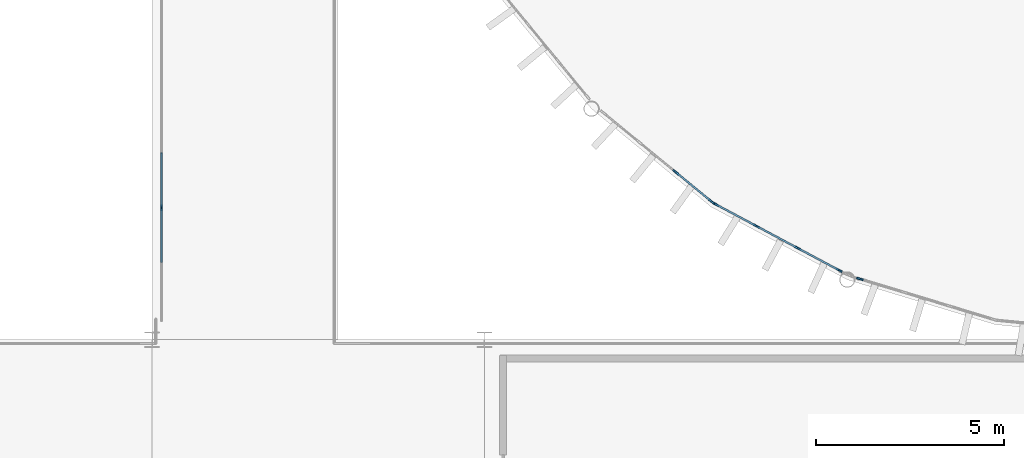
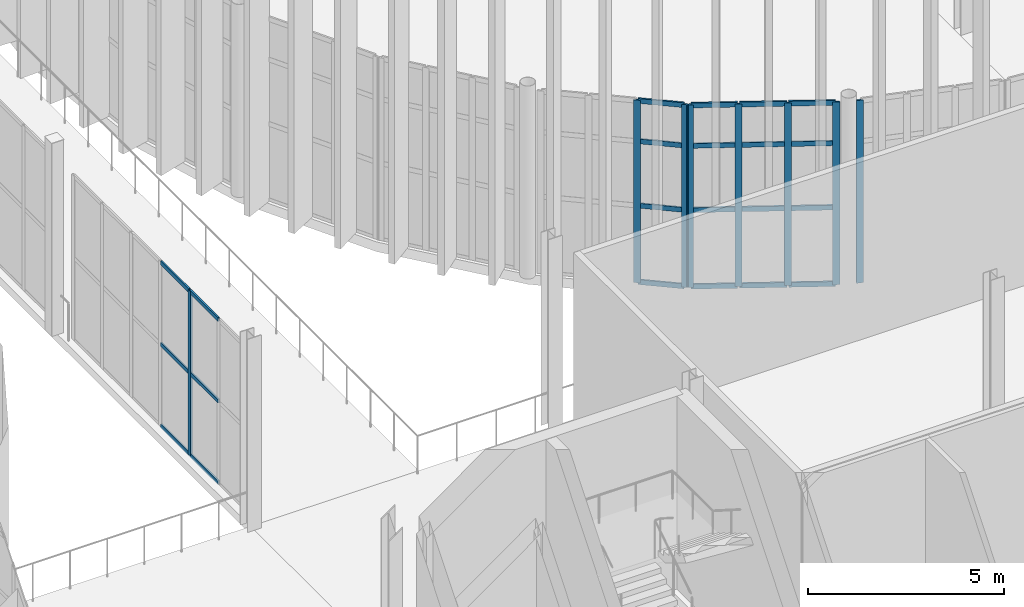
# One storey, part 28 of 139: 30 members, 4 elements without a shape of their own.
"""IFC4 building model written with IfcOpenShell, lengths in metres."""

from ifc_helpers import new_model, si_unit, direction, frame, origin, origin_2d, place, context, subcontext, project, spatial, rectangle, extrude, material, layer, layer_set, material_profile, profile_set, type_object, element, aggregate, save


model = new_model("IFC4")

# Units and contexts
model_context = context("Model", 3, precision=1e-05, world=origin(), true_north=direction((0.0, 1.0)))
body_context = subcontext(model_context, "Body", "Model", "MODEL_VIEW")
ifc_project = project(units=[si_unit("LENGTHUNIT", "METRE"), si_unit("AREAUNIT", "SQUARE_METRE"), si_unit("VOLUMEUNIT", "CUBIC_METRE"), si_unit("PLANEANGLEUNIT", "RADIAN"), si_unit("MASSUNIT", "GRAM", prefix="KILO")], contexts=[model_context])

# Site, building, storey
site_placement = place(None, origin())
site = spatial("IfcSite", under=ifc_project, at=site_placement, CompositionType="ELEMENT")
building_placement = place(site_placement, origin())
building = spatial("IfcBuilding", under=site, at=building_placement, Name="Yeouljin Market Hall", CompositionType="ELEMENT")
storey_placement = place(building_placement, origin())
storey = spatial("IfcBuildingStorey", under=building, at=storey_placement, Name="L00", CompositionType="ELEMENT", Elevation=0.0)

# Curtain wall, member
ifc_material_1 = material(Name="Thermally Broken Aluminium", Category="aluminium")
ifc_layer_1 = layer(ifc_material_1, 0.14990234375)
ifc_layer_set_1 = layer_set([ifc_layer_1], Name="Thermally Broken Aluminium")
curtain_wall_type_1 = type_object("IfcCurtainWallType", Name="CW_WingStorefront_System", PredefinedType="USERDEFINED", material=ifc_layer_set_1)
curtain_wall_1_placement = place(storey_placement, origin())
curtain_wall_1 = element("IfcCurtainWall", 1, at=curtain_wall_1_placement, inside=storey, type_object=curtain_wall_type_1, Name="Curtain wall CW-CRT-L00-05", ObjectType="CURTAIN WALL", PredefinedType="USERDEFINED")
ifc_material_2 = material(Name="Thermally Broken Aluminium", Category="aluminium")
ifc_material_profile_1 = material_profile(ifc_material_2, rectangle(XDim=0.048095703125, YDim=0.14990234375, at=origin_2d()), Name="CW-MULL-48x150")
ifc_profile_set_1 = profile_set([ifc_material_profile_1], Name="Thermally Broken Aluminium")
member_type_1 = type_object("IfcMemberType", Name="CWMullion_48x150", PredefinedType="MULLION", material=ifc_profile_set_1)
member_1_placement = place(storey_placement, frame((9.10009765625, 39.5166015625, 0.0), z_axis=(0.0, 0.0, 1.0), x_axis=(-1.0, 0.0, 0.0)))
member_1 = element("IfcMember", 2, at=member_1_placement, type_object=member_type_1, Name="CW-04 mullion 3", PredefinedType="MULLION", context=body_context, shape_type="SweptSolid", body=[
    extrude(rectangle(XDim=0.048095703125, YDim=0.14990234375, at=origin_2d()), origin(), (0.0, 0.0, 1.0), 5.1201171875),
])

ifc_material_3 = material(Name="Thermally Broken Aluminium", Category="aluminium")
ifc_layer_2 = layer(ifc_material_3, 0.179931640625)
ifc_layer_set_2 = layer_set([ifc_layer_2], Name="Thermally Broken Aluminium")
curtain_wall_type_2 = type_object("IfcCurtainWallType", Name="CW_ApseCurved_System", PredefinedType="USERDEFINED", material=ifc_layer_set_2)
curtain_wall_2_placement = place(storey_placement, origin())
curtain_wall_2 = element("IfcCurtainWall", 3, at=curtain_wall_2_placement, inside=storey, type_object=curtain_wall_type_2, Name="Curtain wall CW-AP-WL00-02", ObjectType="CURTAIN WALL", PredefinedType="USERDEFINED")
ifc_material_4 = material(Name="Thermally Broken Aluminium", Category="aluminium")
ifc_material_profile_2 = material_profile(ifc_material_4, rectangle(XDim=0.048095703125, YDim=0.179931640625, at=origin_2d()), Name="CW-MULL-48x180")
ifc_profile_set_2 = profile_set([ifc_material_profile_2], Name="Thermally Broken Aluminium")
member_type_2 = type_object("IfcMemberType", Name="CWMullion_48x180", PredefinedType="MULLION", material=ifc_profile_set_2)
member_2_placement = place(storey_placement, frame((27.700439453125, 37.62109375, 0.0), z_axis=(0.0, 0.0, 1.0), x_axis=(-0.290286164863, -0.95693988447, 0.0)))
member_2 = element("IfcMember", 4, at=member_2_placement, type_object=member_type_2, Name="CW-03 mullion 4", PredefinedType="MULLION", context=body_context, shape_type="SweptSolid", body=[
    extrude(rectangle(XDim=0.048095703125, YDim=0.179931640625, at=origin_2d()), origin(), (0.0, 0.0, 1.0), 5.679931640625),
])
aggregate(curtain_wall_2, [member_2])

# Curtain wall, members
curtain_wall_3_placement = place(storey_placement, origin())
curtain_wall_3 = element("IfcCurtainWall", 5, at=curtain_wall_3_placement, inside=storey, type_object=curtain_wall_type_2, Name="Curtain wall CW-AP-WL00-03", ObjectType="CURTAIN WALL", PredefinedType="USERDEFINED")
member_3_placement = place(storey_placement, frame((27.1416015625, 37.852783203125, 0.0), z_axis=(0.0, 0.0, 1.0), x_axis=(-0.471377626598, -0.881931478712, 0.0)))
member_3 = element("IfcMember", 6, at=member_3_placement, type_object=member_type_2, Name="CW-03 mullion 1", PredefinedType="MULLION", context=body_context, shape_type="SweptSolid", body=[
    extrude(rectangle(XDim=0.048095703125, YDim=0.179931640625, at=origin_2d()), origin(), (0.0, 0.0, 1.0), 5.679931640625),
])
member_4_placement = place(storey_placement, frame((26.053466796875, 38.434326171875, 0.0), z_axis=(0.0, 0.0, 1.0), x_axis=(-0.471377626598, -0.881931478712, 0.0)))
member_4 = element("IfcMember", 7, at=member_4_placement, type_object=member_type_2, Name="CW-03 mullion 2", PredefinedType="MULLION", context=body_context, shape_type="SweptSolid", body=[
    extrude(rectangle(XDim=0.048095703125, YDim=0.179931640625, at=origin_2d()), origin(), (0.0, 0.0, 1.0), 5.679931640625),
])
member_5_placement = place(storey_placement, frame((24.9443359375, 39.027099609375, 0.0), z_axis=(0.0, 0.0, 1.0), x_axis=(-0.471377626598, -0.881931478712, 0.0)))
member_5 = element("IfcMember", 8, at=member_5_placement, type_object=member_type_2, Name="CW-03 mullion 3", PredefinedType="MULLION", context=body_context, shape_type="SweptSolid", body=[
    extrude(rectangle(XDim=0.048095703125, YDim=0.179931640625, at=origin_2d()), origin(), (0.0, 0.0, 1.0), 5.679931640625),
])
member_6_placement = place(storey_placement, frame((23.856201171875, 39.608642578125, 0.0), z_axis=(0.0, 0.0, 1.0), x_axis=(-0.471377626598, -0.881931478712, 0.0)))
member_6 = element("IfcMember", 9, at=member_6_placement, type_object=member_type_2, Name="CW-03 mullion 4", PredefinedType="MULLION", context=body_context, shape_type="SweptSolid", body=[
    extrude(rectangle(XDim=0.048095703125, YDim=0.179931640625, at=origin_2d()), origin(), (0.0, 0.0, 1.0), 5.679931640625),
])

curtain_wall_4_placement = place(storey_placement, origin())
curtain_wall_4 = element("IfcCurtainWall", 10, at=curtain_wall_4_placement, inside=storey, type_object=curtain_wall_type_2, Name="Curtain wall CW-AP-WL00-04", ObjectType="CURTAIN WALL", PredefinedType="USERDEFINED")
member_7_placement = place(storey_placement, frame((23.750244140625, 39.679443359375, 0.0), z_axis=(0.0, 0.0, 1.0), x_axis=(-0.634384432096, -0.773017717982, 0.0)))
member_7 = element("IfcMember", 11, at=member_7_placement, type_object=member_type_2, Name="CW-03 mullion 1", PredefinedType="MULLION", context=body_context, shape_type="SweptSolid", body=[
    extrude(rectangle(XDim=0.048095703125, YDim=0.179931640625, at=origin_2d()), origin(), (0.0, 0.0, 1.0), 5.679931640625),
])
member_8_placement = place(storey_placement, frame((22.796630859375, 40.462158203125, 0.0), z_axis=(0.0, 0.0, 1.0), x_axis=(-0.634384432096, -0.773017717982, 0.0)))
member_8 = element("IfcMember", 12, at=member_8_placement, type_object=member_type_2, Name="CW-03 mullion 2", PredefinedType="MULLION", context=body_context, shape_type="SweptSolid", body=[
    extrude(rectangle(XDim=0.048095703125, YDim=0.179931640625, at=origin_2d()), origin(), (0.0, 0.0, 1.0), 5.679931640625),
])

# Member
ifc_material_5 = material(Name="Thermally Broken Aluminium", Category="aluminium")
ifc_material_profile_3 = material_profile(ifc_material_5, rectangle(XDim=0.048095703125, YDim=0.1201171875, at=origin_2d()), Name="CW-TRAN-48x120")
ifc_profile_set_3 = profile_set([ifc_material_profile_3], Name="Thermally Broken Aluminium")
member_type_3 = type_object("IfcMemberType", Name="CWTransom_48x120", PredefinedType="USERDEFINED", material=ifc_profile_set_3)
member_9_placement = place(storey_placement, frame((9.10009765625, 38.057373046875, 0.02392578125), z_axis=(0.0, 1.0, 0.0), x_axis=(-1.0, 0.0, 0.0)))
member_9 = element("IfcMember", 13, at=member_9_placement, type_object=member_type_3, Name="CW-04 transom 2.1", ObjectType="TRANSOM", PredefinedType="USERDEFINED", context=body_context, shape_type="SweptSolid", body=[
    extrude(rectangle(XDim=0.048095703125, YDim=0.1201171875, at=origin_2d()), origin(), (0.0, 0.0, 1.0), 1.435302734375),
])

member_10_placement = place(storey_placement, frame((9.10009765625, 38.057373046875, 2.56005859375), z_axis=(0.0, 1.0, 0.0), x_axis=(-1.0, 0.0, 0.0)))
member_10 = element("IfcMember", 14, at=member_10_placement, type_object=member_type_3, Name="CW-04 transom 2.2", ObjectType="TRANSOM", PredefinedType="USERDEFINED", context=body_context, shape_type="SweptSolid", body=[
    extrude(rectangle(XDim=0.048095703125, YDim=0.1201171875, at=origin_2d()), origin(), (0.0, 0.0, 1.0), 1.435302734375),
])

member_11_placement = place(storey_placement, frame((9.10009765625, 38.057373046875, 5.095947265625), z_axis=(0.0, 1.0, 0.0), x_axis=(-1.0, 0.0, 0.0)))
member_11 = element("IfcMember", 15, at=member_11_placement, type_object=member_type_3, Name="CW-04 transom 2.3", ObjectType="TRANSOM", PredefinedType="USERDEFINED", context=body_context, shape_type="SweptSolid", body=[
    extrude(rectangle(XDim=0.048095703125, YDim=0.1201171875, at=origin_2d()), origin(), (0.0, 0.0, 1.0), 1.435302734375),
])

member_12_placement = place(storey_placement, frame((9.10009765625, 39.540771484375, 0.02392578125), z_axis=(0.0, 1.0, 0.0), x_axis=(-1.0, 0.0, 0.0)))
member_12 = element("IfcMember", 16, at=member_12_placement, type_object=member_type_3, Name="CW-04 transom 3.1", ObjectType="TRANSOM", PredefinedType="USERDEFINED", context=body_context, shape_type="SweptSolid", body=[
    extrude(rectangle(XDim=0.048095703125, YDim=0.1201171875, at=origin_2d()), origin(), (0.0, 0.0, 1.0), 1.435302734375),
])

member_13_placement = place(storey_placement, frame((9.10009765625, 39.540771484375, 2.56005859375), z_axis=(0.0, 1.0, 0.0), x_axis=(-1.0, 0.0, 0.0)))
member_13 = element("IfcMember", 17, at=member_13_placement, type_object=member_type_3, Name="CW-04 transom 3.2", ObjectType="TRANSOM", PredefinedType="USERDEFINED", context=body_context, shape_type="SweptSolid", body=[
    extrude(rectangle(XDim=0.048095703125, YDim=0.1201171875, at=origin_2d()), origin(), (0.0, 0.0, 1.0), 1.435302734375),
])

member_14_placement = place(storey_placement, frame((9.10009765625, 39.540771484375, 5.095947265625), z_axis=(0.0, 1.0, 0.0), x_axis=(-1.0, 0.0, 0.0)))
member_14 = element("IfcMember", 18, at=member_14_placement, type_object=member_type_3, Name="CW-04 transom 3.3", ObjectType="TRANSOM", PredefinedType="USERDEFINED", context=body_context, shape_type="SweptSolid", body=[
    extrude(rectangle(XDim=0.048095703125, YDim=0.1201171875, at=origin_2d()), origin(), (0.0, 0.0, 1.0), 1.435302734375),
])

aggregate(curtain_wall_1, [member_1, member_9, member_10, member_11, member_12, member_13, member_14])

ifc_material_6 = material(Name="Thermally Broken Aluminium", Category="aluminium")
ifc_material_profile_4 = material_profile(ifc_material_6, rectangle(XDim=0.048095703125, YDim=0.14990234375, at=origin_2d()), Name="CW-TRAN-48x150")
ifc_profile_set_4 = profile_set([ifc_material_profile_4], Name="Thermally Broken Aluminium")
member_type_4 = type_object("IfcMemberType", Name="CWTransom_48x150", PredefinedType="USERDEFINED", material=ifc_profile_set_4)
member_15_placement = place(storey_placement, frame((27.120361328125, 37.864013671875, 0.02392578125), z_axis=(-0.881947903555, 0.471346894989, 0.0), x_axis=(-0.471346894989, -0.881947903555, 0.0)))
member_15 = element("IfcMember", 19, at=member_15_placement, type_object=member_type_4, Name="CW-03 transom 1.1", ObjectType="TRANSOM", PredefinedType="USERDEFINED", context=body_context, shape_type="SweptSolid", body=[
    extrude(rectangle(XDim=0.048095703125, YDim=0.14990234375, at=origin_2d()), origin(), (0.0, 0.0, 1.0), 1.185546875),
])

member_16_placement = place(storey_placement, frame((27.120361328125, 37.864013671875, 2.39990234375), z_axis=(-0.881947903555, 0.471346894989, 0.0), x_axis=(-0.471346894989, -0.881947903555, 0.0)))
member_16 = element("IfcMember", 20, at=member_16_placement, type_object=member_type_4, Name="CW-03 transom 1.2", ObjectType="TRANSOM", PredefinedType="USERDEFINED", context=body_context, shape_type="SweptSolid", body=[
    extrude(rectangle(XDim=0.048095703125, YDim=0.14990234375, at=origin_2d()), origin(), (0.0, 0.0, 1.0), 1.185546875),
])

member_17_placement = place(storey_placement, frame((27.120361328125, 37.864013671875, 4.39990234375), z_axis=(-0.881947903555, 0.471346894989, 0.0), x_axis=(-0.471346894989, -0.881947903555, 0.0)))
member_17 = element("IfcMember", 21, at=member_17_placement, type_object=member_type_4, Name="CW-03 transom 1.3", ObjectType="TRANSOM", PredefinedType="USERDEFINED", context=body_context, shape_type="SweptSolid", body=[
    extrude(rectangle(XDim=0.048095703125, YDim=0.14990234375, at=origin_2d()), origin(), (0.0, 0.0, 1.0), 1.185546875),
])

member_18_placement = place(storey_placement, frame((27.120361328125, 37.864013671875, 5.656005859375), z_axis=(-0.881947903555, 0.471346894989, 0.0), x_axis=(-0.471346894989, -0.881947903555, 0.0)))
member_18 = element("IfcMember", 22, at=member_18_placement, type_object=member_type_4, Name="CW-03 transom 1.4", ObjectType="TRANSOM", PredefinedType="USERDEFINED", context=body_context, shape_type="SweptSolid", body=[
    extrude(rectangle(XDim=0.048095703125, YDim=0.14990234375, at=origin_2d()), origin(), (0.0, 0.0, 1.0), 1.185546875),
])

member_19_placement = place(storey_placement, frame((26.0322265625, 38.445556640625, 0.02392578125), z_axis=(-0.881905630458, 0.471425984611, 0.0), x_axis=(-0.471425984611, -0.881905630458, 0.0)))
member_19 = element("IfcMember", 23, at=member_19_placement, type_object=member_type_4, Name="CW-03 transom 2.1", ObjectType="TRANSOM", PredefinedType="USERDEFINED", context=body_context, shape_type="SweptSolid", body=[
    extrude(rectangle(XDim=0.048095703125, YDim=0.14990234375, at=origin_2d()), origin(), (0.0, 0.0, 1.0), 1.209716796875),
])

member_20_placement = place(storey_placement, frame((26.0322265625, 38.445556640625, 2.39990234375), z_axis=(-0.881905630458, 0.471425984611, 0.0), x_axis=(-0.471425984611, -0.881905630458, 0.0)))
member_20 = element("IfcMember", 24, at=member_20_placement, type_object=member_type_4, Name="CW-03 transom 2.2", ObjectType="TRANSOM", PredefinedType="USERDEFINED", context=body_context, shape_type="SweptSolid", body=[
    extrude(rectangle(XDim=0.048095703125, YDim=0.14990234375, at=origin_2d()), origin(), (0.0, 0.0, 1.0), 1.209716796875),
])

member_21_placement = place(storey_placement, frame((26.0322265625, 38.445556640625, 4.39990234375), z_axis=(-0.881905630458, 0.471425984611, 0.0), x_axis=(-0.471425984611, -0.881905630458, 0.0)))
member_21 = element("IfcMember", 25, at=member_21_placement, type_object=member_type_4, Name="CW-03 transom 2.3", ObjectType="TRANSOM", PredefinedType="USERDEFINED", context=body_context, shape_type="SweptSolid", body=[
    extrude(rectangle(XDim=0.048095703125, YDim=0.14990234375, at=origin_2d()), origin(), (0.0, 0.0, 1.0), 1.209716796875),
])

member_22_placement = place(storey_placement, frame((26.0322265625, 38.445556640625, 5.656005859375), z_axis=(-0.881905630458, 0.471425984611, 0.0), x_axis=(-0.471425984611, -0.881905630458, 0.0)))
member_22 = element("IfcMember", 26, at=member_22_placement, type_object=member_type_4, Name="CW-03 transom 2.4", ObjectType="TRANSOM", PredefinedType="USERDEFINED", context=body_context, shape_type="SweptSolid", body=[
    extrude(rectangle(XDim=0.048095703125, YDim=0.14990234375, at=origin_2d()), origin(), (0.0, 0.0, 1.0), 1.209716796875),
])

member_23_placement = place(storey_placement, frame((24.923095703125, 39.038330078125, 0.02392578125), z_axis=(-0.881862296401, 0.471507041503, 0.0), x_axis=(-0.471507041503, -0.881862296401, 0.0)))
member_23 = element("IfcMember", 27, at=member_23_placement, type_object=member_type_4, Name="CW-03 transom 3.1", ObjectType="TRANSOM", PredefinedType="USERDEFINED", context=body_context, shape_type="SweptSolid", body=[
    extrude(rectangle(XDim=0.048095703125, YDim=0.14990234375, at=origin_2d()), origin(), (0.0, 0.0, 1.0), 1.185791015625),
])

member_24_placement = place(storey_placement, frame((24.923095703125, 39.038330078125, 2.39990234375), z_axis=(-0.881862296401, 0.471507041503, 0.0), x_axis=(-0.471507041503, -0.881862296401, 0.0)))
member_24 = element("IfcMember", 28, at=member_24_placement, type_object=member_type_4, Name="CW-03 transom 3.2", ObjectType="TRANSOM", PredefinedType="USERDEFINED", context=body_context, shape_type="SweptSolid", body=[
    extrude(rectangle(XDim=0.048095703125, YDim=0.14990234375, at=origin_2d()), origin(), (0.0, 0.0, 1.0), 1.185791015625),
])

member_25_placement = place(storey_placement, frame((24.923095703125, 39.038330078125, 4.39990234375), z_axis=(-0.881862296401, 0.471507041503, 0.0), x_axis=(-0.471507041503, -0.881862296401, 0.0)))
member_25 = element("IfcMember", 29, at=member_25_placement, type_object=member_type_4, Name="CW-03 transom 3.3", ObjectType="TRANSOM", PredefinedType="USERDEFINED", context=body_context, shape_type="SweptSolid", body=[
    extrude(rectangle(XDim=0.048095703125, YDim=0.14990234375, at=origin_2d()), origin(), (0.0, 0.0, 1.0), 1.185791015625),
])

member_26_placement = place(storey_placement, frame((24.923095703125, 39.038330078125, 5.656005859375), z_axis=(-0.881862296401, 0.471507041503, 0.0), x_axis=(-0.471507041503, -0.881862296401, 0.0)))
member_26 = element("IfcMember", 30, at=member_26_placement, type_object=member_type_4, Name="CW-03 transom 3.4", ObjectType="TRANSOM", PredefinedType="USERDEFINED", context=body_context, shape_type="SweptSolid", body=[
    extrude(rectangle(XDim=0.048095703125, YDim=0.14990234375, at=origin_2d()), origin(), (0.0, 0.0, 1.0), 1.185791015625),
])

aggregate(curtain_wall_3, [member_3, member_4, member_5, member_6, member_15, member_16, member_17, member_18, member_19, member_20, member_21, member_22, member_23, member_24, member_25, member_26])

member_27_placement = place(storey_placement, frame((23.731689453125, 39.69482421875, 0.02392578125), z_axis=(-0.77299310317, 0.634414424845, 0.0), x_axis=(-0.634414424845, -0.77299310317, 0.0)))
member_27 = element("IfcMember", 31, at=member_27_placement, type_object=member_type_4, Name="CW-03 transom 1.1", ObjectType="TRANSOM", PredefinedType="USERDEFINED", context=body_context, shape_type="SweptSolid", body=[
    extrude(rectangle(XDim=0.048095703125, YDim=0.14990234375, at=origin_2d()), origin(), (0.0, 0.0, 1.0), 1.185546875),
])

member_28_placement = place(storey_placement, frame((23.731689453125, 39.69482421875, 2.39990234375), z_axis=(-0.77299310317, 0.634414424845, 0.0), x_axis=(-0.634414424845, -0.77299310317, 0.0)))
member_28 = element("IfcMember", 32, at=member_28_placement, type_object=member_type_4, Name="CW-03 transom 1.2", ObjectType="TRANSOM", PredefinedType="USERDEFINED", context=body_context, shape_type="SweptSolid", body=[
    extrude(rectangle(XDim=0.048095703125, YDim=0.14990234375, at=origin_2d()), origin(), (0.0, 0.0, 1.0), 1.185546875),
])

member_29_placement = place(storey_placement, frame((23.731689453125, 39.69482421875, 4.39990234375), z_axis=(-0.77299310317, 0.634414424845, 0.0), x_axis=(-0.634414424845, -0.77299310317, 0.0)))
member_29 = element("IfcMember", 33, at=member_29_placement, type_object=member_type_4, Name="CW-03 transom 1.3", ObjectType="TRANSOM", PredefinedType="USERDEFINED", context=body_context, shape_type="SweptSolid", body=[
    extrude(rectangle(XDim=0.048095703125, YDim=0.14990234375, at=origin_2d()), origin(), (0.0, 0.0, 1.0), 1.185546875),
])

member_30_placement = place(storey_placement, frame((23.731689453125, 39.69482421875, 5.656005859375), z_axis=(-0.77299310317, 0.634414424845, 0.0), x_axis=(-0.634414424845, -0.77299310317, 0.0)))
member_30 = element("IfcMember", 34, at=member_30_placement, type_object=member_type_4, Name="CW-03 transom 1.4", ObjectType="TRANSOM", PredefinedType="USERDEFINED", context=body_context, shape_type="SweptSolid", body=[
    extrude(rectangle(XDim=0.048095703125, YDim=0.14990234375, at=origin_2d()), origin(), (0.0, 0.0, 1.0), 1.185546875),
])

aggregate(curtain_wall_4, [member_7, member_8, member_27, member_28, member_29, member_30])

save(model, "model.ifc")
